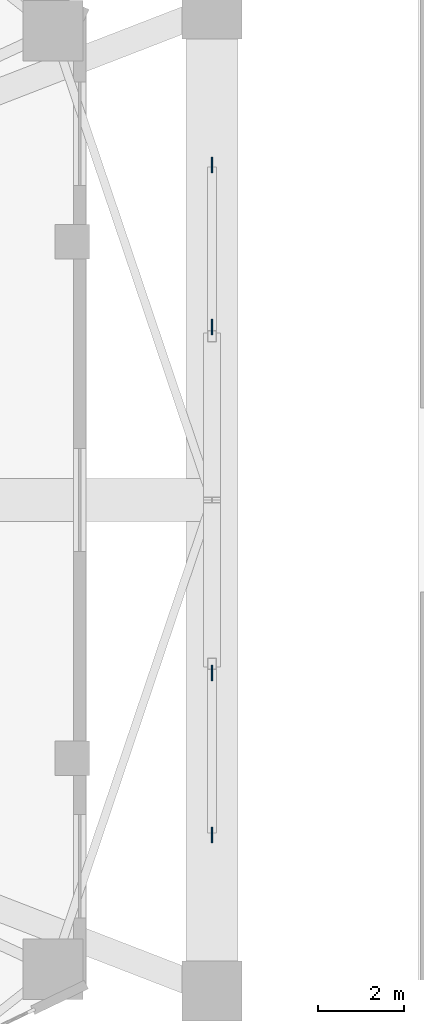
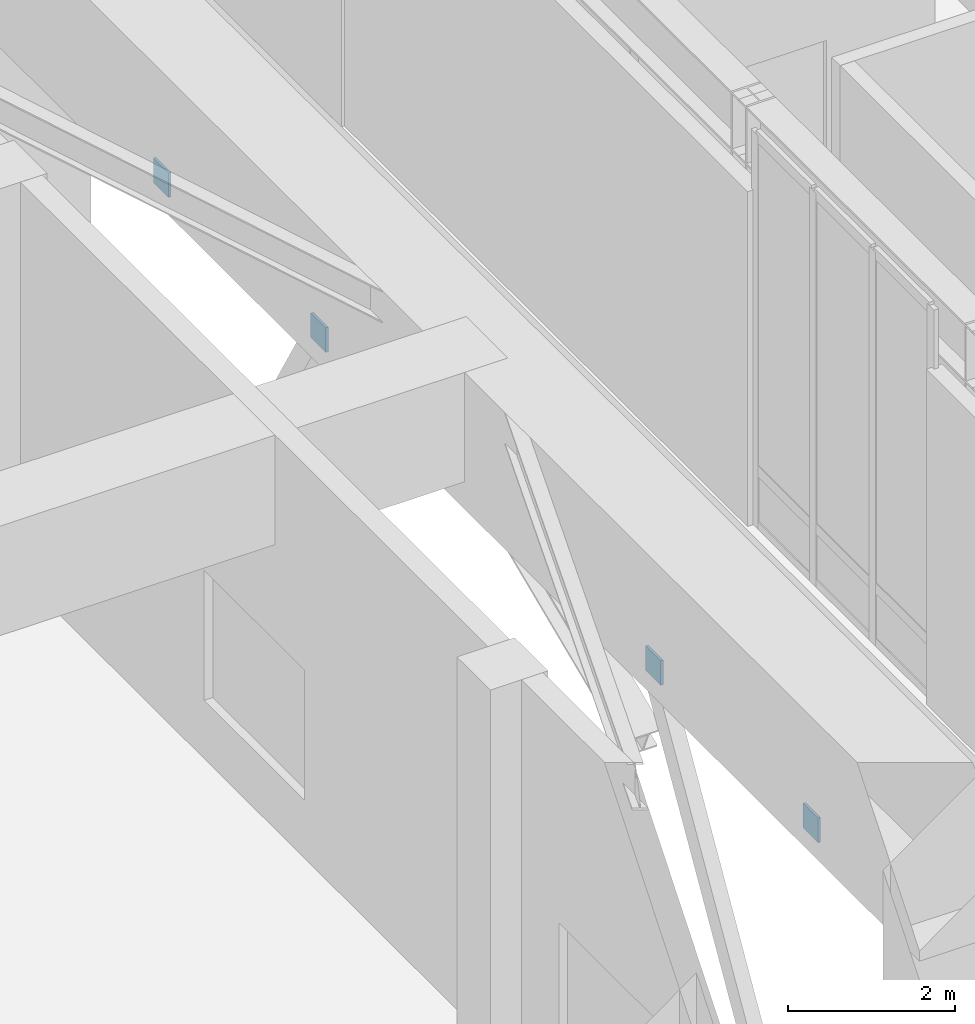
# One storey, part 14 of 25: 4 plates.
"""IFC4 building model written with IfcOpenShell, lengths in metres."""

import ifcopenshell
import ifcopenshell.guid

model = None  # the IFC model being written
_history = None  # IfcOwnerHistory: only IFC2X3 demands one
_inside = {}  # id of a spatial element -> (the spatial element, [elements in it])
_under = {}  # id of a project, library or spatial element -> (it, [spatial elements below it])
_declared = {}  # id of a project -> (the project, [libraries it declares])
_typed = {}  # id of a type object -> (the type object, [elements of that type])
_made_of = {}  # id of a material, layer set ... -> (it, [elements and type objects made of it])


def new_model(schema):
    """Start an empty IFC model of exactly this schema.

    Asked for "IFC4X3", IfcOpenShell would pick the latest addendum, in which some entities
    have other attributes; the version numbers below select the first issue.
    IFC2X3 requires an IfcOwnerHistory on every rooted entity: one is made here for all.
    """
    global model, _history
    if schema == "IFC4X3":
        model = ifcopenshell.file(schema_version=(4, 3, 0, 0))
    else:
        model = ifcopenshell.file(schema=schema)
    _inside.clear()
    _under.clear()
    _declared.clear()
    _typed.clear()
    _made_of.clear()
    _history = None
    if model.schema == "IFC2X3":
        org = make("IfcOrganization", Name="unknown")
        user = make(
            "IfcPersonAndOrganization",
            ThePerson=make("IfcPerson", FamilyName="unknown"),
            TheOrganization=org,
        )
        app = make(
            "IfcApplication",
            ApplicationDeveloper=org,
            Version="unknown",
            ApplicationFullName="unknown",
            ApplicationIdentifier="unknown",
        )
        _history = make(
            "IfcOwnerHistory",
            OwningUser=user,
            OwningApplication=app,
            ChangeAction="ADDED",
            CreationDate=0,
        )
    return model


def make(cls, **values):
    """One entity of the class cls with the attributes given. An attribute that is None is left unset."""
    return model.create_entity(
        cls, **{name: value for name, value in values.items() if value is not None}
    )


def rooted(cls, **values):
    """An entity with a GlobalId (a new one), such as an element, a storey or a relation."""
    return make(cls, GlobalId=ifcopenshell.guid.new(), OwnerHistory=_history, **values)


def si_unit(unit_type, name, prefix=None):
    """IfcSIUnit, for example si_unit("LENGTHUNIT", "METRE", prefix="MILLI")."""
    return make("IfcSIUnit", UnitType=unit_type, Prefix=prefix, Name=name)


def assignment(units):
    """IfcUnitAssignment: the units of a project."""
    return None if units is None else make("IfcUnitAssignment", Units=units)


def point(xyz):
    """IfcCartesianPoint."""
    return None if xyz is None else make("IfcCartesianPoint", Coordinates=xyz)


def direction(xyz):
    """IfcDirection."""
    return None if xyz is None else make("IfcDirection", DirectionRatios=xyz)


def frame(location, z_axis=None, x_axis=None):
    """IfcAxis2Placement3D, a coordinate frame: its origin and axes. An axis left out is left unset."""
    return make(
        "IfcAxis2Placement3D",
        Location=point(location),
        Axis=direction(z_axis),
        RefDirection=direction(x_axis),
    )


def frame_2d(location, x_axis=None):
    """IfcAxis2Placement2D, a coordinate frame in the plane: its origin and x axis."""
    return make(
        "IfcAxis2Placement2D", Location=point(location), RefDirection=direction(x_axis)
    )


def origin():
    """The frame at (0, 0, 0) with its axes left unset."""
    return frame((0.0, 0.0, 0.0))


def origin_2d():
    """The frame at (0, 0) in the plane with its x axis left unset."""
    return frame_2d((0.0, 0.0))


def place(relative_to, where):
    """IfcLocalPlacement: puts the frame where relative to a parent placement (None: the world)."""
    return make(
        "IfcLocalPlacement", PlacementRelTo=relative_to, RelativePlacement=where
    )


def context(
    kind, dimensions, precision=None, world=None, true_north=None, identifier=None
):
    """IfcGeometricRepresentationContext, for example the 3D "Model" context."""
    return make(
        "IfcGeometricRepresentationContext",
        ContextIdentifier=identifier,
        ContextType=kind,
        CoordinateSpaceDimension=dimensions,
        Precision=precision,
        WorldCoordinateSystem=world,
        TrueNorth=true_north,
    )


def subcontext(parent, identifier, kind, view, scale=None):
    """IfcGeometricRepresentationSubContext, for example "Body" below "Model"."""
    return make(
        "IfcGeometricRepresentationSubContext",
        ContextIdentifier=identifier,
        ContextType=kind,
        ParentContext=parent,
        TargetScale=scale,
        TargetView=view,
    )


def project(units=None, contexts=None):
    """IfcProject with its units and contexts."""
    return rooted(
        "IfcProject",
        Name="project",
        RepresentationContexts=contexts,
        UnitsInContext=assignment(units),
    )


def spatial(cls, under=None, at=None, **own):
    """A site, building, storey or space (cls), placed at a placement, below another one or the project."""
    s = rooted(cls, ObjectPlacement=at, **own)
    if under is not None:
        _under.setdefault(under.id(), (under, []))[1].append(s)
    return s


def profile(cls, at=None, kind="AREA", **sizes):
    """A parametric profile (cls). Its sizes go by their IFC names, for example OverallWidth=200.0."""
    return make(cls, ProfileType=kind, Position=at, **sizes)


def rectangle(**sizes):
    """IfcRectangleProfileDef."""
    return profile("IfcRectangleProfileDef", **sizes)


def extrude(swept, where, along, depth):
    """IfcExtrudedAreaSolid: the profile swept, set in the frame where, extruded along a direction by depth."""
    return make(
        "IfcExtrudedAreaSolid",
        SweptArea=swept,
        Position=where,
        ExtrudedDirection=direction(along),
        Depth=depth,
    )


def shape(context_of_items, identifier, shape_type, items):
    """IfcShapeRepresentation: the items that make up one representation, for example the "Body"."""
    return make(
        "IfcShapeRepresentation",
        ContextOfItems=context_of_items,
        RepresentationIdentifier=identifier,
        RepresentationType=shape_type,
        Items=items,
    )


def material(Name=None, Category=None):
    """IfcMaterial."""
    return make("IfcMaterial", Name=Name, Category=Category)


def layer(
    of_material, thickness, ventilated=None, Name=None, Category=None, Priority=None
):
    """IfcMaterialLayer: one layer of a wall or slab, of a material (None: an air gap)."""
    return make(
        "IfcMaterialLayer",
        Material=of_material,
        LayerThickness=thickness,
        IsVentilated=ventilated,
        Name=Name,
        Category=Category,
        Priority=Priority,
    )


def layer_set(layers, Name=None):
    """IfcMaterialLayerSet."""
    return make("IfcMaterialLayerSet", MaterialLayers=layers, LayerSetName=Name)


def made_of(thing, what):
    """Note that an element or type object is made of a material, layer set ...; save() writes the relation."""
    if what is not None:
        _made_of.setdefault(what.id(), (what, []))[1].append(thing)
    return thing


def type_object(cls, material=None, **own):
    """A type object (cls), such as IfcWallType, which elements share."""
    return made_of(rooted(cls, **own), material)


def element(
    cls,
    number,
    at=None,
    inside=None,
    cuts=None,
    type_object=None,
    material=None,
    context=None,
    identifier="Body",
    shape_type=None,
    held_by="IfcProductDefinitionShape",
    body=None,
    shapes=None,
    **own,
):
    """One element of the class cls, such as IfcWall. Its Tag is "e" and its number.

    at: its placement. inside: the storey or other place that contains it. cuts: it is an
    opening in that element (IfcRelVoidsElement). A single representation is given by context,
    identifier, shape_type and body (its items); several are given by shapes. held_by: the class
    of the entity that holds the representations. save() writes the other relations.
    """
    e = rooted(cls, Tag="e%d" % number, ObjectPlacement=at, **own)
    if body is not None:
        shapes = [shape(context, identifier, shape_type, body)]
    if shapes is not None:
        e.Representation = make(held_by, Representations=shapes)
    if inside is not None:
        _inside.setdefault(inside.id(), (inside, []))[1].append(e)
    if cuts is not None:
        rooted(
            "IfcRelVoidsElement", RelatingBuildingElement=cuts, RelatedOpeningElement=e
        )
    if type_object is not None:
        _typed.setdefault(type_object.id(), (type_object, []))[1].append(e)
    return made_of(e, material)


def aggregate(whole, parts):
    """IfcRelAggregates: a whole, such as a stair, and the parts it consists of."""
    return rooted("IfcRelAggregates", RelatingObject=whole, RelatedObjects=parts)


def save(model, path):
    """Write the relations noted so far, then the file.

    IfcRelAggregates (storeys below a building ...), IfcRelContainedInSpatialStructure (elements
    in a storey), IfcRelDefinesByType, IfcRelAssociatesMaterial and IfcRelDeclares: one each for
    every whole, place, type object, material and project.
    """
    for whole, parts in _under.values():
        aggregate(whole, parts)
    for where, things in _inside.values():
        rooted(
            "IfcRelContainedInSpatialStructure",
            RelatedElements=things,
            RelatingStructure=where,
        )
    for kind, things in _typed.values():
        rooted("IfcRelDefinesByType", RelatedObjects=things, RelatingType=kind)
    for what, things in _made_of.values():
        rooted("IfcRelAssociatesMaterial", RelatedObjects=things, RelatingMaterial=what)
    for by, libraries in _declared.values():
        rooted("IfcRelDeclares", RelatingContext=by, RelatedDefinitions=libraries)
    model.write(path)


model = new_model("IFC4")

# Units and contexts
model_context = context("Model", 3, precision=1e-05, world=origin(), true_north=direction((0.0, 1.0)))
body_context = subcontext(model_context, "Body", "Model", "MODEL_VIEW")
ifc_project = project(units=[si_unit("LENGTHUNIT", "METRE"), si_unit("AREAUNIT", "SQUARE_METRE"), si_unit("VOLUMEUNIT", "CUBIC_METRE"), si_unit("PLANEANGLEUNIT", "RADIAN"), si_unit("MASSUNIT", "GRAM", prefix="KILO")], contexts=[model_context])

# Site, building, storey
site_placement = place(None, origin())
site = spatial("IfcSite", under=ifc_project, at=site_placement, CompositionType="ELEMENT")
building_placement = place(site_placement, origin())
building = spatial("IfcBuilding", under=site, at=building_placement, Name="Kolvaren Gate Tower and Convention Centre", CompositionType="ELEMENT")
storey_placement = place(building_placement, frame((0.0, 0.0, 15.0)))
storey = spatial("IfcBuildingStorey", under=building, at=storey_placement, Name="L03", CompositionType="ELEMENT", Elevation=15.0)

# Plates
ifc_material = material(Name="Structural steel plate ASTM A572 Grade 345 MPa", Category="steel")
ifc_layer = layer(ifc_material, 0.035888671875)
ifc_layer_set = layer_set([ifc_layer], Name="Structural steel plate ASTM A572 Grade 345 MPa")
plate_type = type_object("IfcPlateType", Name="STR-PL-END-36", PredefinedType="USERDEFINED", material=ifc_layer_set)
for number, where, z_axis, x_axis, name in (
    (1, (57.39990234375, 19.219482421875, 3.20068359375), (0.0, 0.0, 1.0), (0.0, 1.0, 0.0), "Structural Brace End Connection Gusset Plate EGP-002"),
    (2, (57.39990234375, 22.9873046875, 3.2177734375), (0.0, 0.0, 1.0), (0.0, 1.0, 0.0), "Structural Brace End Connection Gusset Plate EGP-004"),
    (3, (57.39990234375, 31.0126953125, 3.2177734375), (0.0, 0.0, 1.0), (0.0, -1.0, 0.0), "Structural Brace End Connection Gusset Plate EGP-006"),
    (4, (57.39990234375, 34.780517578125, 3.20068359375), (0.0, 0.0, 1.0), (0.0, -1.0, 0.0), "Structural Brace End Connection Gusset Plate EGP-008"),
):
    element("IfcPlate", number, at=place(storey_placement, frame(where, z_axis=z_axis, x_axis=x_axis)), inside=storey, type_object=plate_type, Name=name, ObjectType="GUSSET PLATE", PredefinedType="USERDEFINED", context=body_context, shape_type="SweptSolid", body=[
        extrude(rectangle(XDim=0.360107421875, YDim=0.035888671875, at=origin_2d()), origin(), (0.0, 0.0, 1.0), 0.360107421875),
    ])

save(model, "model.ifc")
